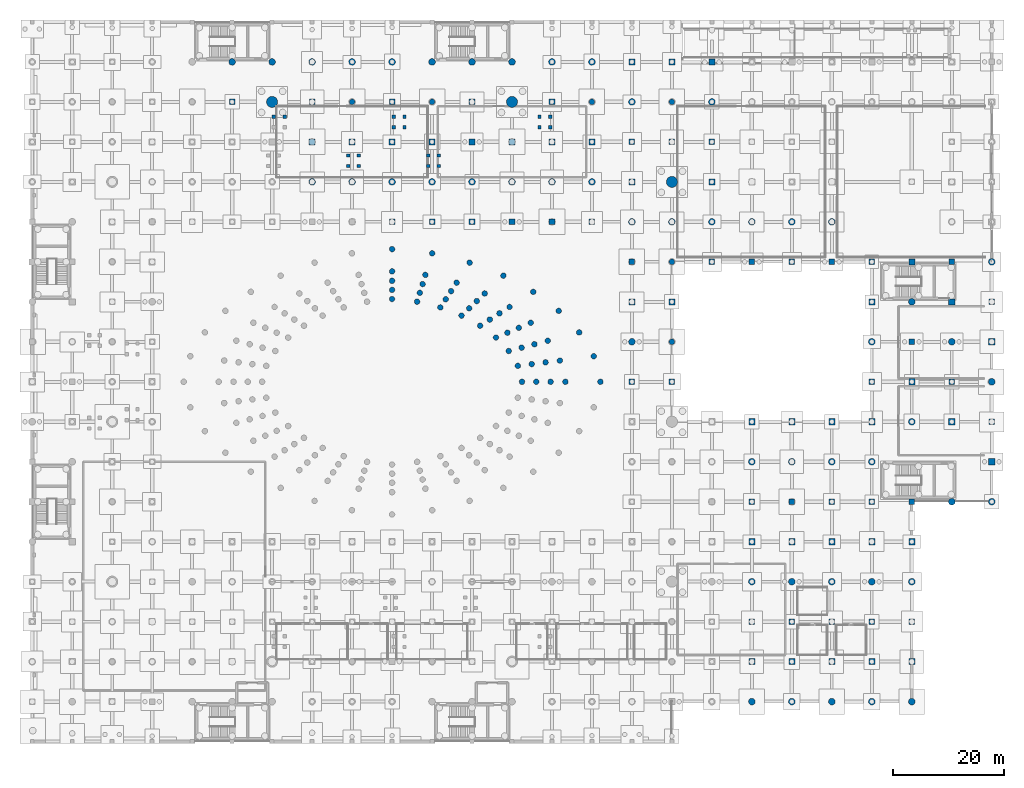
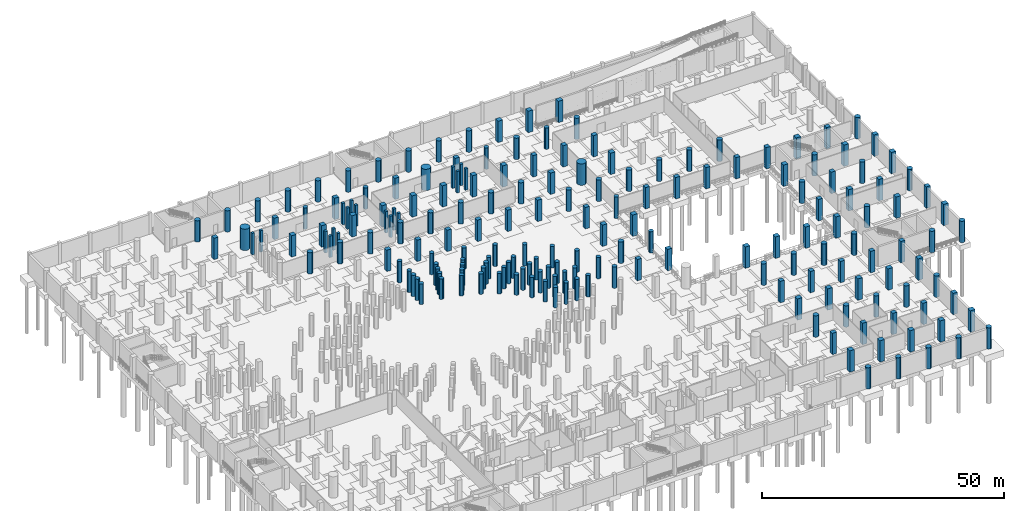
# One storey, part 19 of 37: 195 columns.
"""IFC4 building model written with IfcOpenShell, lengths in metres."""

from ifc_helpers import new_model, si_unit, direction, frame, origin, origin_2d, place, context, subcontext, project, spatial, rectangle, circle, extrude, material, material_profile, profile_set, type_object, element, save


model = new_model("IFC4")

# Units and contexts
model_context = context("Model", 3, precision=1e-05, world=origin(), true_north=direction((0.0, 1.0)))
body_context = subcontext(model_context, "Body", "Model", "MODEL_VIEW")
ifc_project = project(units=[si_unit("LENGTHUNIT", "METRE"), si_unit("AREAUNIT", "SQUARE_METRE"), si_unit("VOLUMEUNIT", "CUBIC_METRE"), si_unit("PLANEANGLEUNIT", "RADIAN"), si_unit("MASSUNIT", "GRAM", prefix="KILO")], contexts=[model_context])

# Site, building, storey
site_placement = place(None, origin())
site = spatial("IfcSite", under=ifc_project, at=site_placement, CompositionType="ELEMENT")
building_placement = place(site_placement, origin())
building = spatial("IfcBuilding", under=site, at=building_placement, Name="Qandorah Velis Arena", CompositionType="ELEMENT")
storey_placement = place(building_placement, frame((0.0, 0.0, -5.39990234375)))
storey = spatial("IfcBuildingStorey", under=building, at=storey_placement, Name="B1", CompositionType="ELEMENT", Elevation=-5.39990234375)

# Columns
ifc_material_1 = material(Name="Concrete C50/60", Category="concrete")
ifc_material_profile_1 = material_profile(ifc_material_1, circle(Radius=1.0, at=origin_2d()), Name="MC D2000")
ifc_profile_set_1 = profile_set([ifc_material_profile_1], Name="Concrete C50/60")
column_type_1 = type_object("IfcColumnType", Name="STR-COL-MC2000", PredefinedType="COLUMN", material=ifc_profile_set_1)
for number, where, z_axis, x_axis, name in (
    (1, (43.199951171875, 115.199951171875, 0.0), (0.0, 0.0, 1.0), (1.0, 0.0, 0.0), "Mega column MC6 (B1)"),
    (2, (86.39990234375, 115.199951171875, 0.0), (0.0, 0.0, 1.0), (1.0, 0.0, 0.0), "Mega column MC7 (B1)"),
    (3, (115.199951171875, 100.800048828125, 0.0), (0.0, 0.0, 1.0), (1.0, 0.0, 0.0), "Mega column MC10 (B1)"),
):
    element("IfcColumn", number, at=place(storey_placement, frame(where, z_axis=z_axis, x_axis=x_axis)), inside=storey, type_object=column_type_1, Name=name, PredefinedType="COLUMN", context=body_context, shape_type="SweptSolid", body=[
        extrude(circle(Radius=1.0, at=origin_2d()), origin(), (0.0, 0.0, 1.0), 5.39990234375),
    ])
ifc_material_2 = material(Name="Concrete C40/50", Category="concrete")
ifc_material_profile_2 = material_profile(ifc_material_2, rectangle(XDim=1.0, YDim=1.0, at=origin_2d()), Name="RC COL 1000x1000")
ifc_profile_set_2 = profile_set([ifc_material_profile_2], Name="Concrete C40/50")
column_type_2 = type_object("IfcColumnType", Name="STR-COL-RC1000", PredefinedType="COLUMN", material=ifc_profile_set_2)
for number, where, z_axis, x_axis, name in (
    (4, (36.0, 115.199951171875, 0.0), (0.0, 0.0, 1.0), (1.0, 0.0, 0.0), "Structural column B1-097"),
    (5, (50.39990234375, 115.199951171875, 0.0), (0.0, 0.0, 1.0), (1.0, 0.0, 0.0), "Structural column B1-121"),
    (6, (64.800048828125, 93.60009765625, 0.0), (0.0, 0.0, 1.0), (1.0, 0.0, 0.0), "Structural column B1-142"),
    (7, (64.800048828125, 115.199951171875, 0.0), (0.0, 0.0, 1.0), (1.0, 0.0, 0.0), "Structural column B1-145"),
    (8, (72.0, 93.60009765625, 0.0), (0.0, 0.0, 1.0), (1.0, 0.0, 0.0), "Structural column B1-154"),
    (9, (79.199951171875, 93.60009765625, 0.0), (0.0, 0.0, 1.0), (1.0, 0.0, 0.0), "Structural column B1-166"),
    (10, (79.199951171875, 115.199951171875, 0.0), (0.0, 0.0, 1.0), (1.0, 0.0, 0.0), "Structural column B1-169"),
    (11, (86.39990234375, 93.60009765625, 0.0), (0.0, 0.0, 1.0), (1.0, 0.0, 0.0), "Structural column B1-178"),
    (12, (93.60009765625, 93.60009765625, 0.0), (0.0, 0.0, 1.0), (1.0, 0.0, 0.0), "Structural column B1-190"),
    (13, (93.60009765625, 115.199951171875, 0.0), (0.0, 0.0, 1.0), (1.0, 0.0, 0.0), "Structural column B1-193"),
    (14, (100.800048828125, 93.60009765625, 0.0), (0.0, 0.0, 1.0), (1.0, 0.0, 0.0), "Structural column B1-202"),
    (15, (108.0, 64.800048828125, 0.0), (0.0, 0.0, 1.0), (1.0, 0.0, 0.0), "Structural column B1-217"),
    (16, (108.0, 86.39990234375, 0.0), (0.0, 0.0, 1.0), (1.0, 0.0, 0.0), "Structural column B1-220"),
    (17, (108.0, 108.0, 0.0), (0.0, 0.0, 1.0), (1.0, 0.0, 0.0), "Structural column B1-223"),
    (18, (115.199951171875, 64.800048828125, 0.0), (0.0, 0.0, 1.0), (1.0, 0.0, 0.0), "Structural column B1-235"),
    (19, (115.199951171875, 108.0, 0.0), (0.0, 0.0, 1.0), (1.0, 0.0, 0.0), "Structural column B1-241"),
    (20, (122.39990234375, 86.39990234375, 0.0), (0.0, 0.0, 1.0), (1.0, 0.0, 0.0), "Structural column B1-253"),
    (21, (122.39990234375, 108.0, 0.0), (0.0, 0.0, 1.0), (1.0, 0.0, 0.0), "Structural column B1-256"),
    (22, (129.60009765625, 21.60009765625, 0.0), (0.0, 0.0, 1.0), (1.0, 0.0, 0.0), "Structural column B1-262"),
    (23, (129.60009765625, 43.199951171875, 0.0), (0.0, 0.0, 1.0), (1.0, 0.0, 0.0), "Structural column B1-265"),
    (24, (129.60009765625, 86.39990234375, 0.0), (0.0, 0.0, 1.0), (1.0, 0.0, 0.0), "Structural column B1-268"),
    (25, (136.800048828125, 21.60009765625, 0.0), (0.0, 0.0, 1.0), (1.0, 0.0, 0.0), "Structural column B1-277"),
    (26, (136.800048828125, 43.199951171875, 0.0), (0.0, 0.0, 1.0), (1.0, 0.0, 0.0), "Structural column B1-280"),
    (27, (136.800048828125, 86.39990234375, 0.0), (0.0, 0.0, 1.0), (1.0, 0.0, 0.0), "Structural column B1-283"),
    (28, (144.0, 21.60009765625, 0.0), (0.0, 0.0, 1.0), (1.0, 0.0, 0.0), "Structural column B1-292"),
    (29, (144.0, 43.199951171875, 0.0), (0.0, 0.0, 1.0), (1.0, 0.0, 0.0), "Structural column B1-295"),
    (30, (144.0, 86.39990234375, 0.0), (0.0, 0.0, 1.0), (1.0, 0.0, 0.0), "Structural column B1-298"),
    (31, (151.199951171875, 21.60009765625, 0.0), (0.0, 0.0, 1.0), (1.0, 0.0, 0.0), "Structural column B1-307"),
    (32, (151.199951171875, 43.199951171875, 0.0), (0.0, 0.0, 1.0), (1.0, 0.0, 0.0), "Structural column B1-310"),
    (33, (151.199951171875, 64.800048828125, 0.0), (0.0, 0.0, 1.0), (1.0, 0.0, 0.0), "Structural column B1-313"),
    (34, (151.199951171875, 86.39990234375, 0.0), (0.0, 0.0, 1.0), (1.0, 0.0, 0.0), "Structural column B1-316"),
    (35, (158.39990234375, 21.60009765625, 0.0), (0.0, 0.0, 1.0), (1.0, 0.0, 0.0), "Structural column B1-322"),
    (36, (158.39990234375, 43.199951171875, 0.0), (0.0, 0.0, 1.0), (1.0, 0.0, 0.0), "Structural column B1-325"),
    (37, (158.39990234375, 72.0, 0.0), (0.0, 0.0, 1.0), (1.0, 0.0, 0.0), "Structural column B1-328"),
    (38, (165.60009765625, 64.800048828125, 0.0), (0.0, 0.0, 1.0), (1.0, 0.0, 0.0), "Structural column B1-337"),
    (39, (165.60009765625, 86.39990234375, 0.0), (0.0, 0.0, 1.0), (1.0, 0.0, 0.0), "Structural column B1-340"),
    (40, (172.800048828125, 57.60009765625, 0.0), (0.0, 0.0, 1.0), (1.0, 0.0, 0.0), "Structural column B1-349"),
    (41, (172.800048828125, 79.199951171875, 0.0), (0.0, 0.0, 1.0), (1.0, 0.0, 0.0), "Structural column B1-352"),
):
    element("IfcColumn", number, at=place(storey_placement, frame(where, z_axis=z_axis, x_axis=x_axis)), inside=storey, type_object=column_type_2, Name=name, PredefinedType="COLUMN", context=body_context, shape_type="SweptSolid", body=[
        extrude(rectangle(XDim=1.0, YDim=1.0, at=origin_2d()), origin(), (0.0, 0.0, 1.0), 5.39990234375),
    ])
ifc_material_profile_3 = material_profile(ifc_material_2, rectangle(XDim=1.10009765625, YDim=1.10009765625, at=origin_2d()), Name="RC COL 1100x1100")
ifc_profile_set_3 = profile_set([ifc_material_profile_3], Name="Concrete C40/50")
column_type_3 = type_object("IfcColumnType", Name="STR-COL-RC1100", PredefinedType="COLUMN", material=ifc_profile_set_3)
for number, where, z_axis, x_axis, name in (
    (42, (50.39990234375, 108.0, 0.0), (0.0, 0.0, 1.0), (1.0, 0.0, 0.0), "Structural column B1-120"),
    (43, (57.60009765625, 108.0, 0.0), (0.0, 0.0, 1.0), (1.0, 0.0, 0.0), "Structural column B1-132"),
    (44, (64.800048828125, 108.0, 0.0), (0.0, 0.0, 1.0), (1.0, 0.0, 0.0), "Structural column B1-144"),
    (45, (72.0, 108.0, 0.0), (0.0, 0.0, 1.0), (1.0, 0.0, 0.0), "Structural column B1-156"),
    (46, (79.199951171875, 108.0, 0.0), (0.0, 0.0, 1.0), (1.0, 0.0, 0.0), "Structural column B1-168"),
    (47, (86.39990234375, 108.0, 0.0), (0.0, 0.0, 1.0), (1.0, 0.0, 0.0), "Structural column B1-180"),
    (48, (93.60009765625, 108.0, 0.0), (0.0, 0.0, 1.0), (1.0, 0.0, 0.0), "Structural column B1-192"),
    (49, (100.800048828125, 108.0, 0.0), (0.0, 0.0, 1.0), (1.0, 0.0, 0.0), "Structural column B1-204"),
    (50, (108.0, 79.199951171875, 0.0), (0.0, 0.0, 1.0), (1.0, 0.0, 0.0), "Structural column B1-219"),
    (51, (108.0, 100.800048828125, 0.0), (0.0, 0.0, 1.0), (1.0, 0.0, 0.0), "Structural column B1-222"),
    (52, (108.0, 122.39990234375, 0.0), (0.0, 0.0, 1.0), (1.0, 0.0, 0.0), "Structural column B1-225"),
    (53, (115.199951171875, 79.199951171875, 0.0), (0.0, 0.0, 1.0), (1.0, 0.0, 0.0), "Structural column B1-237"),
    (54, (115.199951171875, 122.39990234375, 0.0), (0.0, 0.0, 1.0), (1.0, 0.0, 0.0), "Structural column B1-243"),
    (55, (122.39990234375, 100.800048828125, 0.0), (0.0, 0.0, 1.0), (1.0, 0.0, 0.0), "Structural column B1-255"),
    (56, (122.39990234375, 122.39990234375, 0.0), (0.0, 0.0, 1.0), (1.0, 0.0, 0.0), "Structural column B1-258"),
    (57, (129.60009765625, 14.39990234375, 0.0), (0.0, 0.0, 1.0), (1.0, 0.0, 0.0), "Structural column B1-261"),
    (58, (129.60009765625, 36.0, 0.0), (0.0, 0.0, 1.0), (1.0, 0.0, 0.0), "Structural column B1-264"),
    (59, (129.60009765625, 57.60009765625, 0.0), (0.0, 0.0, 1.0), (1.0, 0.0, 0.0), "Structural column B1-267"),
    (60, (136.800048828125, 14.39990234375, 0.0), (0.0, 0.0, 1.0), (1.0, 0.0, 0.0), "Structural column B1-276"),
    (61, (136.800048828125, 36.0, 0.0), (0.0, 0.0, 1.0), (1.0, 0.0, 0.0), "Structural column B1-279"),
    (62, (136.800048828125, 57.60009765625, 0.0), (0.0, 0.0, 1.0), (1.0, 0.0, 0.0), "Structural column B1-282"),
    (63, (144.0, 14.39990234375, 0.0), (0.0, 0.0, 1.0), (1.0, 0.0, 0.0), "Structural column B1-291"),
    (64, (144.0, 36.0, 0.0), (0.0, 0.0, 1.0), (1.0, 0.0, 0.0), "Structural column B1-294"),
    (65, (144.0, 57.60009765625, 0.0), (0.0, 0.0, 1.0), (1.0, 0.0, 0.0), "Structural column B1-297"),
    (66, (151.199951171875, 14.39990234375, 0.0), (0.0, 0.0, 1.0), (1.0, 0.0, 0.0), "Structural column B1-306"),
    (67, (151.199951171875, 36.0, 0.0), (0.0, 0.0, 1.0), (1.0, 0.0, 0.0), "Structural column B1-309"),
    (68, (151.199951171875, 57.60009765625, 0.0), (0.0, 0.0, 1.0), (1.0, 0.0, 0.0), "Structural column B1-312"),
    (69, (151.199951171875, 79.199951171875, 0.0), (0.0, 0.0, 1.0), (1.0, 0.0, 0.0), "Structural column B1-315"),
    (70, (158.39990234375, 14.39990234375, 0.0), (0.0, 0.0, 1.0), (1.0, 0.0, 0.0), "Structural column B1-321"),
    (71, (158.39990234375, 36.0, 0.0), (0.0, 0.0, 1.0), (1.0, 0.0, 0.0), "Structural column B1-324"),
    (72, (158.39990234375, 64.800048828125, 0.0), (0.0, 0.0, 1.0), (1.0, 0.0, 0.0), "Structural column B1-327"),
    (73, (158.39990234375, 86.39990234375, 0.0), (0.0, 0.0, 1.0), (1.0, 0.0, 0.0), "Structural column B1-330"),
    (74, (165.60009765625, 57.60009765625, 0.0), (0.0, 0.0, 1.0), (1.0, 0.0, 0.0), "Structural column B1-336"),
    (75, (165.60009765625, 79.199951171875, 0.0), (0.0, 0.0, 1.0), (1.0, 0.0, 0.0), "Structural column B1-339"),
    (76, (172.800048828125, 50.39990234375, 0.0), (0.0, 0.0, 1.0), (1.0, 0.0, 0.0), "Structural column B1-348"),
    (77, (172.800048828125, 72.0, 0.0), (0.0, 0.0, 1.0), (1.0, 0.0, 0.0), "Structural column B1-351"),
):
    element("IfcColumn", number, at=place(storey_placement, frame(where, z_axis=z_axis, x_axis=x_axis)), inside=storey, type_object=column_type_3, Name=name, PredefinedType="COLUMN", context=body_context, shape_type="SweptSolid", body=[
        extrude(rectangle(XDim=1.10009765625, YDim=1.10009765625, at=origin_2d()), origin(), (0.0, 0.0, 1.0), 5.39990234375),
    ])
ifc_material_profile_4 = material_profile(ifc_material_2, rectangle(XDim=0.60009765625, YDim=0.60009765625, at=origin_2d()), Name="RC COL 600x600")
ifc_profile_set_4 = profile_set([ifc_material_profile_4], Name="Concrete C40/50")
column_type_4 = type_object("IfcColumnType", Name="STR-COL-RC600", PredefinedType="COLUMN", material=ifc_profile_set_4)
for number, where, z_axis, x_axis, name in (
    (78, (56.89990234375, 103.64990234375, 0.0), (0.0, 0.0, 1.0), (1.0, 0.0, 0.0), "Vomitory VS5 B1 support column 1"),
    (79, (58.800048828125, 103.64990234375, 0.0), (0.0, 0.0, 1.0), (1.0, 0.0, 0.0), "Vomitory VS5 B1 support column 2"),
    (80, (56.89990234375, 105.550048828125, 0.0), (0.0, 0.0, 1.0), (1.0, 0.0, 0.0), "Vomitory VS5 B1 support column 3"),
    (81, (58.800048828125, 105.550048828125, 0.0), (0.0, 0.0, 1.0), (1.0, 0.0, 0.0), "Vomitory VS5 B1 support column 4"),
    (82, (71.300048828125, 103.64990234375, 0.0), (0.0, 0.0, 1.0), (1.0, 0.0, 0.0), "Vomitory VS6 B1 support column 1"),
    (83, (73.199951171875, 103.64990234375, 0.0), (0.0, 0.0, 1.0), (1.0, 0.0, 0.0), "Vomitory VS6 B1 support column 2"),
    (84, (71.300048828125, 105.550048828125, 0.0), (0.0, 0.0, 1.0), (1.0, 0.0, 0.0), "Vomitory VS6 B1 support column 3"),
    (85, (73.199951171875, 105.550048828125, 0.0), (0.0, 0.0, 1.0), (1.0, 0.0, 0.0), "Vomitory VS6 B1 support column 4"),
    (86, (43.5, 112.550048828125, 0.0), (0.0, 0.0, 1.0), (1.0, 0.0, 0.0), "Vomitory VS12 B1 landing column 3"),
    (87, (45.449951171875, 112.550048828125, 0.0), (0.0, 0.0, 1.0), (1.0, 0.0, 0.0), "Vomitory VS12 B1 landing column 4"),
    (88, (65.10009765625, 110.64990234375, 0.0), (0.0, 0.0, 1.0), (1.0, 0.0, 0.0), "Vomitory VS13 B1 landing column 1"),
    (89, (67.050048828125, 110.64990234375, 0.0), (0.0, 0.0, 1.0), (1.0, 0.0, 0.0), "Vomitory VS13 B1 landing column 2"),
    (90, (65.10009765625, 112.550048828125, 0.0), (0.0, 0.0, 1.0), (1.0, 0.0, 0.0), "Vomitory VS13 B1 landing column 3"),
    (91, (67.050048828125, 112.550048828125, 0.0), (0.0, 0.0, 1.0), (1.0, 0.0, 0.0), "Vomitory VS13 B1 landing column 4"),
    (92, (91.35009765625, 110.64990234375, 0.0), (0.0, 0.0, 1.0), (1.0, 0.0, 0.0), "Vomitory VS14 B1 landing column 1"),
    (93, (93.300048828125, 110.64990234375, 0.0), (0.0, 0.0, 1.0), (1.0, 0.0, 0.0), "Vomitory VS14 B1 landing column 2"),
    (94, (91.35009765625, 112.550048828125, 0.0), (0.0, 0.0, 1.0), (1.0, 0.0, 0.0), "Vomitory VS14 B1 landing column 3"),
    (95, (93.300048828125, 112.550048828125, 0.0), (0.0, 0.0, 1.0), (1.0, 0.0, 0.0), "Vomitory VS14 B1 landing column 4"),
):
    element("IfcColumn", number, at=place(storey_placement, frame(where, z_axis=z_axis, x_axis=x_axis)), inside=storey, type_object=column_type_4, Name=name, PredefinedType="COLUMN", context=body_context, shape_type="SweptSolid", body=[
        extrude(rectangle(XDim=0.60009765625, YDim=0.60009765625, at=origin_2d()), origin(), (0.0, 0.0, 1.0), 5.39990234375),
    ])
ifc_material_profile_5 = material_profile(ifc_material_2, circle(Radius=0.5, at=origin_2d()), Name="RC D1000")
ifc_profile_set_5 = profile_set([ifc_material_profile_5], Name="Concrete C40/50")
column_type_5 = type_object("IfcColumnType", Name="STR-COL-RCD1000", PredefinedType="COLUMN", material=ifc_profile_set_5)
for number, where, z_axis, x_axis, name in (
    (96, (57.60009765625, 115.199951171875, 0.0), (0.0, 0.0, 1.0), (1.0, 0.0, 0.0), "Bowl drum ring column B1-133"),
    (97, (72.0, 115.199951171875, 0.0), (0.0, 0.0, 1.0), (1.0, 0.0, 0.0), "Bowl drum ring column B1-157"),
    (98, (100.800048828125, 115.199951171875, 0.0), (0.0, 0.0, 1.0), (1.0, 0.0, 0.0), "Bowl drum ring column B1-205"),
    (99, (115.199951171875, 72.0, 0.0), (0.0, 0.0, 1.0), (1.0, 0.0, 0.0), "Bowl drum ring column B1-236"),
    (100, (115.199951171875, 86.39990234375, 0.0), (0.0, 0.0, 1.0), (1.0, 0.0, 0.0), "Bowl drum ring column B1-238"),
    (101, (115.199951171875, 115.199951171875, 0.0), (0.0, 0.0, 1.0), (1.0, 0.0, 0.0), "Bowl drum ring column B1-242"),
):
    element("IfcColumn", number, at=place(storey_placement, frame(where, z_axis=z_axis, x_axis=x_axis)), inside=storey, type_object=column_type_5, Name=name, PredefinedType="COLUMN", context=body_context, shape_type="SweptSolid", body=[
        extrude(circle(Radius=0.5, at=origin_2d()), origin(), (0.0, 0.0, 1.0), 5.39990234375),
    ])
column_1_placement = place(storey_placement, frame((88.199951171875, 64.800048828125, 0.0), z_axis=(0.0, 0.0, 1.0), x_axis=(1.0, 0.0, 0.0)))
element("IfcColumn", 102, at=column_1_placement, inside=storey, type_object=column_type_5, Name="Lower bowl inner support column 1.1", PredefinedType="COLUMN", context=body_context, shape_type="SweptSolid", body=[
    extrude(circle(Radius=0.5, at=origin_2d()), origin(), (0.0, 0.0, 1.0), 5.159912109375),
])
for number, where, z_axis, x_axis, name in (
    (103, (90.77392578125, 64.800048828125, 0.0), (0.0, 0.0, 1.0), (1.0, 0.0, 0.0), "Lower bowl mid B1 support column 1.1"),
    (104, (93.347900390625, 64.800048828125, 0.0), (0.0, 0.0, 1.0), (1.0, 0.0, 0.0), "Basement bowl raker support column 1.1"),
):
    element("IfcColumn", number, at=place(storey_placement, frame(where, z_axis=z_axis, x_axis=x_axis)), inside=storey, type_object=column_type_5, Name=name, PredefinedType="COLUMN", context=body_context, shape_type="SweptSolid", body=[
        extrude(circle(Radius=0.5, at=origin_2d()), origin(), (0.0, 0.0, 1.0), 5.39990234375),
    ])
column_2_placement = place(storey_placement, frame((87.455078125, 67.66943359375, 0.0), z_axis=(0.0, 0.0, 1.0), x_axis=(1.0, 0.0, 0.0)))
element("IfcColumn", 105, at=column_2_placement, inside=storey, type_object=column_type_5, Name="Lower bowl inner support column 1.2", PredefinedType="COLUMN", context=body_context, shape_type="SweptSolid", body=[
    extrude(circle(Radius=0.5, at=origin_2d()), origin(), (0.0, 0.0, 1.0), 5.159912109375),
])
for number, where, z_axis, x_axis, name in (
    (106, (89.947021484375, 67.985107421875, 0.0), (0.0, 0.0, 1.0), (1.0, 0.0, 0.0), "Lower bowl mid B1 support column 1.2"),
    (107, (92.439208984375, 68.30078125, 0.0), (0.0, 0.0, 1.0), (1.0, 0.0, 0.0), "Basement bowl raker support column 1.2"),
    (108, (96.02001953125, 64.800048828125, 0.0), (0.0, 0.0, 1.0), (1.0, 0.0, 0.0), "Upper raker fulcrum column B1 1.1"),
    (109, (102.320068359375, 64.800048828125, 0.0), (0.0, 0.0, 1.0), (1.0, 0.0, 0.0), "Outer bowl raker column B1 1.1"),
    (110, (95.02587890625, 68.62841796875, 0.0), (0.0, 0.0, 1.0), (1.0, 0.0, 0.0), "Upper raker fulcrum column B1 1.2"),
    (111, (101.12548828125, 69.40087890625, 0.0), (0.0, 0.0, 1.0), (1.0, 0.0, 0.0), "Outer bowl raker column B1 1.2"),
):
    element("IfcColumn", number, at=place(storey_placement, frame(where, z_axis=z_axis, x_axis=x_axis)), inside=storey, type_object=column_type_5, Name=name, PredefinedType="COLUMN", context=body_context, shape_type="SweptSolid", body=[
        extrude(circle(Radius=0.5, at=origin_2d()), origin(), (0.0, 0.0, 1.0), 5.39990234375),
    ])
column_3_placement = place(storey_placement, frame((85.81640625, 70.343017578125, 0.0), z_axis=(0.0, 0.0, 1.0), x_axis=(1.0, 0.0, 0.0)))
element("IfcColumn", 112, at=column_3_placement, inside=storey, type_object=column_type_5, Name="Lower bowl inner support column 2.1", PredefinedType="COLUMN", context=body_context, shape_type="SweptSolid", body=[
    extrude(circle(Radius=0.5, at=origin_2d()), origin(), (0.0, 0.0, 1.0), 5.159912109375),
])
for number, where, z_axis, x_axis, name in (
    (113, (88.12841796875, 70.952880859375, 0.0), (0.0, 0.0, 1.0), (1.0, 0.0, 0.0), "Lower bowl mid B1 support column 2.1"),
    (114, (90.440185546875, 71.5625, 0.0), (0.0, 0.0, 1.0), (1.0, 0.0, 0.0), "Basement bowl raker support column 2.1"),
):
    element("IfcColumn", number, at=place(storey_placement, frame(where, z_axis=z_axis, x_axis=x_axis)), inside=storey, type_object=column_type_5, Name=name, PredefinedType="COLUMN", context=body_context, shape_type="SweptSolid", body=[
        extrude(circle(Radius=0.5, at=origin_2d()), origin(), (0.0, 0.0, 1.0), 5.39990234375),
    ])
column_4_placement = place(storey_placement, frame((83.51708984375, 72.763427734375, 0.0), z_axis=(0.0, 0.0, 1.0), x_axis=(1.0, 0.0, 0.0)))
element("IfcColumn", 115, at=column_4_placement, inside=storey, type_object=column_type_5, Name="Lower bowl inner support column 2.2", PredefinedType="COLUMN", context=body_context, shape_type="SweptSolid", body=[
    extrude(circle(Radius=0.5, at=origin_2d()), origin(), (0.0, 0.0, 1.0), 5.159912109375),
])
for number, where, z_axis, x_axis, name in (
    (116, (85.576171875, 73.639404296875, 0.0), (0.0, 0.0, 1.0), (1.0, 0.0, 0.0), "Lower bowl mid B1 support column 2.2"),
    (117, (87.635009765625, 74.515380859375, 0.0), (0.0, 0.0, 1.0), (1.0, 0.0, 0.0), "Basement bowl raker support column 2.2"),
    (118, (92.840087890625, 72.195556640625, 0.0), (0.0, 0.0, 1.0), (1.0, 0.0, 0.0), "Upper raker fulcrum column B1 2.1"),
    (119, (98.498291015625, 73.68798828125, 0.0), (0.0, 0.0, 1.0), (1.0, 0.0, 0.0), "Outer bowl raker column B1 2.1"),
    (120, (89.772216796875, 75.4248046875, 0.0), (0.0, 0.0, 1.0), (1.0, 0.0, 0.0), "Upper raker fulcrum column B1 2.2"),
    (121, (94.8115234375, 77.56884765625, 0.0), (0.0, 0.0, 1.0), (1.0, 0.0, 0.0), "Outer bowl raker column B1 2.2"),
):
    element("IfcColumn", number, at=place(storey_placement, frame(where, z_axis=z_axis, x_axis=x_axis)), inside=storey, type_object=column_type_5, Name=name, PredefinedType="COLUMN", context=body_context, shape_type="SweptSolid", body=[
        extrude(circle(Radius=0.5, at=origin_2d()), origin(), (0.0, 0.0, 1.0), 5.39990234375),
    ])
column_5_placement = place(storey_placement, frame((80.65966796875, 74.898681640625, 0.0), z_axis=(0.0, 0.0, 1.0), x_axis=(1.0, 0.0, 0.0)))
element("IfcColumn", 122, at=column_5_placement, inside=storey, type_object=column_type_5, Name="Lower bowl inner support column 3.1", PredefinedType="COLUMN", context=body_context, shape_type="SweptSolid", body=[
    extrude(circle(Radius=0.5, at=origin_2d()), origin(), (0.0, 0.0, 1.0), 5.159912109375),
])
for number, where, z_axis, x_axis, name in (
    (123, (82.404296875, 76.009521484375, 0.0), (0.0, 0.0, 1.0), (1.0, 0.0, 0.0), "Lower bowl mid B1 support column 3.1"),
    (124, (84.148681640625, 77.120361328125, 0.0), (0.0, 0.0, 1.0), (1.0, 0.0, 0.0), "Basement bowl raker support column 3.1"),
):
    element("IfcColumn", number, at=place(storey_placement, frame(where, z_axis=z_axis, x_axis=x_axis)), inside=storey, type_object=column_type_5, Name=name, PredefinedType="COLUMN", context=body_context, shape_type="SweptSolid", body=[
        extrude(circle(Radius=0.5, at=origin_2d()), origin(), (0.0, 0.0, 1.0), 5.39990234375),
    ])
column_6_placement = place(storey_placement, frame((77.306396484375, 76.71826171875, 0.0), z_axis=(0.0, 0.0, 1.0), x_axis=(1.0, 0.0, 0.0)))
element("IfcColumn", 125, at=column_6_placement, inside=storey, type_object=column_type_5, Name="Lower bowl inner support column 3.2", PredefinedType="COLUMN", context=body_context, shape_type="SweptSolid", body=[
    extrude(circle(Radius=0.5, at=origin_2d()), origin(), (0.0, 0.0, 1.0), 5.159912109375),
])
for number, where, z_axis, x_axis, name in (
    (126, (78.68212890625, 78.029296875, 0.0), (0.0, 0.0, 1.0), (1.0, 0.0, 0.0), "Lower bowl mid B1 support column 3.2"),
    (127, (80.057861328125, 79.34033203125, 0.0), (0.0, 0.0, 1.0), (1.0, 0.0, 0.0), "Basement bowl raker support column 3.2"),
    (128, (85.959716796875, 78.2734375, 0.0), (0.0, 0.0, 1.0), (1.0, 0.0, 0.0), "Upper raker fulcrum column B1 3.1"),
    (129, (90.229736328125, 80.992431640625, 0.0), (0.0, 0.0, 1.0), (1.0, 0.0, 0.0), "Outer bowl raker column B1 3.1"),
    (130, (81.486083984375, 80.701171875, 0.0), (0.0, 0.0, 1.0), (1.0, 0.0, 0.0), "Upper raker fulcrum column B1 3.2"),
    (131, (84.85302734375, 83.909912109375, 0.0), (0.0, 0.0, 1.0), (1.0, 0.0, 0.0), "Outer bowl raker column B1 3.2"),
):
    element("IfcColumn", number, at=place(storey_placement, frame(where, z_axis=z_axis, x_axis=x_axis)), inside=storey, type_object=column_type_5, Name=name, PredefinedType="COLUMN", context=body_context, shape_type="SweptSolid", body=[
        extrude(circle(Radius=0.5, at=origin_2d()), origin(), (0.0, 0.0, 1.0), 5.39990234375),
    ])
column_7_placement = place(storey_placement, frame((73.50537109375, 78.182373046875, 0.0), z_axis=(0.0, 0.0, 1.0), x_axis=(1.0, 0.0, 0.0)))
element("IfcColumn", 132, at=column_7_placement, inside=storey, type_object=column_type_5, Name="Lower bowl inner support column 4.1", PredefinedType="COLUMN", context=body_context, shape_type="SweptSolid", body=[
    extrude(circle(Radius=0.5, at=origin_2d()), origin(), (0.0, 0.0, 1.0), 5.159912109375),
])
for number, where, z_axis, x_axis, name in (
    (133, (74.462890625, 79.654296875, 0.0), (0.0, 0.0, 1.0), (1.0, 0.0, 0.0), "Lower bowl mid B1 support column 4.1"),
    (134, (75.42041015625, 81.12646484375, 0.0), (0.0, 0.0, 1.0), (1.0, 0.0, 0.0), "Basement bowl raker support column 4.1"),
):
    element("IfcColumn", number, at=place(storey_placement, frame(where, z_axis=z_axis, x_axis=x_axis)), inside=storey, type_object=column_type_5, Name=name, PredefinedType="COLUMN", context=body_context, shape_type="SweptSolid", body=[
        extrude(circle(Radius=0.5, at=origin_2d()), origin(), (0.0, 0.0, 1.0), 5.39990234375),
    ])
column_8_placement = place(storey_placement, frame((69.306396484375, 79.2255859375, 0.0), z_axis=(0.0, 0.0, 1.0), x_axis=(1.0, 0.0, 0.0)))
element("IfcColumn", 135, at=column_8_placement, inside=storey, type_object=column_type_5, Name="Lower bowl inner support column 4.2", PredefinedType="COLUMN", context=body_context, shape_type="SweptSolid", body=[
    extrude(circle(Radius=0.5, at=origin_2d()), origin(), (0.0, 0.0, 1.0), 5.159912109375),
])
for number, where, z_axis, x_axis, name in (
    (136, (69.802001953125, 80.8125, 0.0), (0.0, 0.0, 1.0), (1.0, 0.0, 0.0), "Lower bowl mid B1 support column 4.2"),
    (137, (70.2978515625, 82.399169921875, 0.0), (0.0, 0.0, 1.0), (1.0, 0.0, 0.0), "Basement bowl raker support column 4.2"),
    (138, (76.41455078125, 82.654541015625, 0.0), (0.0, 0.0, 1.0), (1.0, 0.0, 0.0), "Upper raker fulcrum column B1 4.1"),
    (139, (78.75830078125, 86.25732421875, 0.0), (0.0, 0.0, 1.0), (1.0, 0.0, 0.0), "Outer bowl raker column B1 4.1"),
    (140, (70.812255859375, 84.04638671875, 0.0), (0.0, 0.0, 1.0), (1.0, 0.0, 0.0), "Upper raker fulcrum column B1 4.2"),
    (141, (72.025634765625, 87.930419921875, 0.0), (0.0, 0.0, 1.0), (1.0, 0.0, 0.0), "Outer bowl raker column B1 4.2"),
):
    element("IfcColumn", number, at=place(storey_placement, frame(where, z_axis=z_axis, x_axis=x_axis)), inside=storey, type_object=column_type_5, Name=name, PredefinedType="COLUMN", context=body_context, shape_type="SweptSolid", body=[
        extrude(circle(Radius=0.5, at=origin_2d()), origin(), (0.0, 0.0, 1.0), 5.39990234375),
    ])
column_9_placement = place(storey_placement, frame((64.800048828125, 79.699951171875, 0.0), z_axis=(0.0, 0.0, 1.0), x_axis=(1.0, 0.0, 0.0)))
element("IfcColumn", 142, at=column_9_placement, inside=storey, type_object=column_type_5, Name="Lower bowl inner support column 5.1", PredefinedType="COLUMN", context=body_context, shape_type="SweptSolid", body=[
    extrude(circle(Radius=0.5, at=origin_2d()), origin(), (0.0, 0.0, 1.0), 5.159912109375),
])
for number, where, z_axis, x_axis, name in (
    (143, (64.800048828125, 81.339111328125, 0.0), (0.0, 0.0, 1.0), (1.0, 0.0, 0.0), "Lower bowl mid B1 support column 5.1"),
    (144, (64.800048828125, 82.97802734375, 0.0), (0.0, 0.0, 1.0), (1.0, 0.0, 0.0), "Basement bowl raker support column 5.1"),
    (145, (64.800048828125, 84.679443359375, 0.0), (0.0, 0.0, 1.0), (1.0, 0.0, 0.0), "Upper raker fulcrum column B1 5.1"),
    (146, (64.800048828125, 88.69091796875, 0.0), (0.0, 0.0, 1.0), (1.0, 0.0, 0.0), "Outer bowl raker column B1 5.1"),
):
    element("IfcColumn", number, at=place(storey_placement, frame(where, z_axis=z_axis, x_axis=x_axis)), inside=storey, type_object=column_type_5, Name=name, PredefinedType="COLUMN", context=body_context, shape_type="SweptSolid", body=[
        extrude(circle(Radius=0.5, at=origin_2d()), origin(), (0.0, 0.0, 1.0), 5.39990234375),
    ])
ifc_material_profile_6 = material_profile(ifc_material_2, circle(Radius=0.60009765625, at=origin_2d()), Name="RC D1200")
ifc_profile_set_6 = profile_set([ifc_material_profile_6], Name="Concrete C40/50")
column_type_6 = type_object("IfcColumnType", Name="STR-COL-RCD1200", PredefinedType="COLUMN", material=ifc_profile_set_6)
for number, where, z_axis, x_axis, name in (
    (147, (36.0, 122.39990234375, 0.0), (0.0, 0.0, 1.0), (1.0, 0.0, 0.0), "Structural column B1-098"),
    (148, (43.199951171875, 122.39990234375, 0.0), (0.0, 0.0, 1.0), (1.0, 0.0, 0.0), "Structural column B1-110"),
    (149, (50.39990234375, 100.800048828125, 0.0), (0.0, 0.0, 1.0), (1.0, 0.0, 0.0), "Structural column B1-119"),
    (150, (50.39990234375, 122.39990234375, 0.0), (0.0, 0.0, 1.0), (1.0, 0.0, 0.0), "Structural column B1-122"),
    (151, (57.60009765625, 100.800048828125, 0.0), (0.0, 0.0, 1.0), (1.0, 0.0, 0.0), "Structural column B1-131"),
    (152, (57.60009765625, 122.39990234375, 0.0), (0.0, 0.0, 1.0), (1.0, 0.0, 0.0), "Structural column B1-134"),
    (153, (64.800048828125, 100.800048828125, 0.0), (0.0, 0.0, 1.0), (1.0, 0.0, 0.0), "Structural column B1-143"),
    (154, (64.800048828125, 122.39990234375, 0.0), (0.0, 0.0, 1.0), (1.0, 0.0, 0.0), "Structural column B1-146"),
    (155, (72.0, 100.800048828125, 0.0), (0.0, 0.0, 1.0), (1.0, 0.0, 0.0), "Structural column B1-155"),
    (156, (72.0, 122.39990234375, 0.0), (0.0, 0.0, 1.0), (1.0, 0.0, 0.0), "Structural column B1-158"),
    (157, (79.199951171875, 100.800048828125, 0.0), (0.0, 0.0, 1.0), (1.0, 0.0, 0.0), "Structural column B1-167"),
    (158, (79.199951171875, 122.39990234375, 0.0), (0.0, 0.0, 1.0), (1.0, 0.0, 0.0), "Structural column B1-170"),
    (159, (86.39990234375, 100.800048828125, 0.0), (0.0, 0.0, 1.0), (1.0, 0.0, 0.0), "Structural column B1-179"),
    (160, (86.39990234375, 122.39990234375, 0.0), (0.0, 0.0, 1.0), (1.0, 0.0, 0.0), "Structural column B1-182"),
    (161, (93.60009765625, 100.800048828125, 0.0), (0.0, 0.0, 1.0), (1.0, 0.0, 0.0), "Structural column B1-191"),
    (162, (93.60009765625, 122.39990234375, 0.0), (0.0, 0.0, 1.0), (1.0, 0.0, 0.0), "Structural column B1-194"),
    (163, (100.800048828125, 100.800048828125, 0.0), (0.0, 0.0, 1.0), (1.0, 0.0, 0.0), "Structural column B1-203"),
    (164, (100.800048828125, 122.39990234375, 0.0), (0.0, 0.0, 1.0), (1.0, 0.0, 0.0), "Structural column B1-206"),
    (165, (108.0, 72.0, 0.0), (0.0, 0.0, 1.0), (1.0, 0.0, 0.0), "Structural column B1-218"),
    (166, (108.0, 93.60009765625, 0.0), (0.0, 0.0, 1.0), (1.0, 0.0, 0.0), "Structural column B1-221"),
    (167, (108.0, 115.199951171875, 0.0), (0.0, 0.0, 1.0), (1.0, 0.0, 0.0), "Structural column B1-224"),
    (168, (115.199951171875, 93.60009765625, 0.0), (0.0, 0.0, 1.0), (1.0, 0.0, 0.0), "Structural column B1-239"),
    (169, (122.39990234375, 93.60009765625, 0.0), (0.0, 0.0, 1.0), (1.0, 0.0, 0.0), "Structural column B1-254"),
    (170, (122.39990234375, 115.199951171875, 0.0), (0.0, 0.0, 1.0), (1.0, 0.0, 0.0), "Structural column B1-257"),
    (171, (129.60009765625, 7.199951171875, 0.0), (0.0, 0.0, 1.0), (1.0, 0.0, 0.0), "Structural column B1-260"),
    (172, (129.60009765625, 28.800048828125, 0.0), (0.0, 0.0, 1.0), (1.0, 0.0, 0.0), "Structural column B1-263"),
    (173, (129.60009765625, 50.39990234375, 0.0), (0.0, 0.0, 1.0), (1.0, 0.0, 0.0), "Structural column B1-266"),
    (174, (129.60009765625, 93.60009765625, 0.0), (0.0, 0.0, 1.0), (1.0, 0.0, 0.0), "Structural column B1-269"),
    (175, (136.800048828125, 7.199951171875, 0.0), (0.0, 0.0, 1.0), (1.0, 0.0, 0.0), "Structural column B1-275"),
    (176, (136.800048828125, 28.800048828125, 0.0), (0.0, 0.0, 1.0), (1.0, 0.0, 0.0), "Structural column B1-278"),
    (177, (136.800048828125, 50.39990234375, 0.0), (0.0, 0.0, 1.0), (1.0, 0.0, 0.0), "Structural column B1-281"),
    (178, (136.800048828125, 93.60009765625, 0.0), (0.0, 0.0, 1.0), (1.0, 0.0, 0.0), "Structural column B1-284"),
    (179, (144.0, 7.199951171875, 0.0), (0.0, 0.0, 1.0), (1.0, 0.0, 0.0), "Structural column B1-290"),
    (180, (144.0, 28.800048828125, 0.0), (0.0, 0.0, 1.0), (1.0, 0.0, 0.0), "Structural column B1-293"),
    (181, (144.0, 50.39990234375, 0.0), (0.0, 0.0, 1.0), (1.0, 0.0, 0.0), "Structural column B1-296"),
    (182, (144.0, 93.60009765625, 0.0), (0.0, 0.0, 1.0), (1.0, 0.0, 0.0), "Structural column B1-299"),
    (183, (151.199951171875, 7.199951171875, 0.0), (0.0, 0.0, 1.0), (1.0, 0.0, 0.0), "Structural column B1-305"),
    (184, (151.199951171875, 28.800048828125, 0.0), (0.0, 0.0, 1.0), (1.0, 0.0, 0.0), "Structural column B1-308"),
    (185, (151.199951171875, 50.39990234375, 0.0), (0.0, 0.0, 1.0), (1.0, 0.0, 0.0), "Structural column B1-311"),
    (186, (151.199951171875, 72.0, 0.0), (0.0, 0.0, 1.0), (1.0, 0.0, 0.0), "Structural column B1-314"),
    (187, (158.39990234375, 7.199951171875, 0.0), (0.0, 0.0, 1.0), (1.0, 0.0, 0.0), "Structural column B1-320"),
    (188, (158.39990234375, 28.800048828125, 0.0), (0.0, 0.0, 1.0), (1.0, 0.0, 0.0), "Structural column B1-323"),
    (189, (158.39990234375, 57.60009765625, 0.0), (0.0, 0.0, 1.0), (1.0, 0.0, 0.0), "Structural column B1-326"),
    (190, (158.39990234375, 79.199951171875, 0.0), (0.0, 0.0, 1.0), (1.0, 0.0, 0.0), "Structural column B1-329"),
    (191, (165.60009765625, 43.199951171875, 0.0), (0.0, 0.0, 1.0), (1.0, 0.0, 0.0), "Structural column B1-335"),
    (192, (165.60009765625, 72.0, 0.0), (0.0, 0.0, 1.0), (1.0, 0.0, 0.0), "Structural column B1-338"),
    (193, (172.800048828125, 43.199951171875, 0.0), (0.0, 0.0, 1.0), (1.0, 0.0, 0.0), "Structural column B1-347"),
    (194, (172.800048828125, 64.800048828125, 0.0), (0.0, 0.0, 1.0), (1.0, 0.0, 0.0), "Structural column B1-350"),
    (195, (172.800048828125, 86.39990234375, 0.0), (0.0, 0.0, 1.0), (1.0, 0.0, 0.0), "Structural column B1-353"),
):
    element("IfcColumn", number, at=place(storey_placement, frame(where, z_axis=z_axis, x_axis=x_axis)), inside=storey, type_object=column_type_6, Name=name, PredefinedType="COLUMN", context=body_context, shape_type="SweptSolid", body=[
        extrude(circle(Radius=0.60009765625, at=origin_2d()), origin(), (0.0, 0.0, 1.0), 5.39990234375),
    ])

save(model, "model.ifc")
